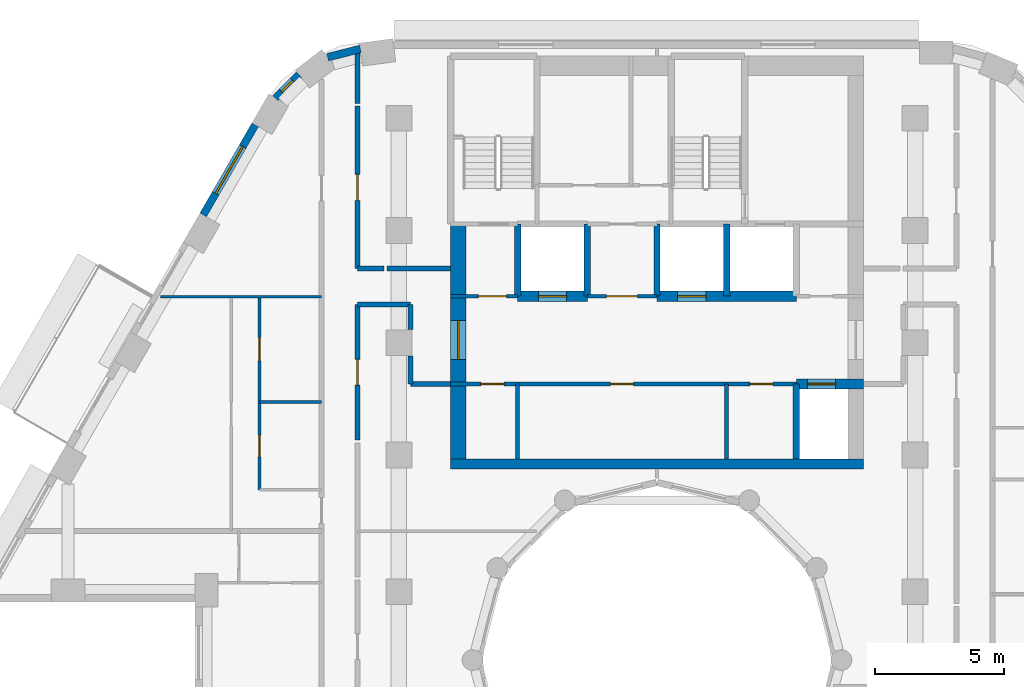
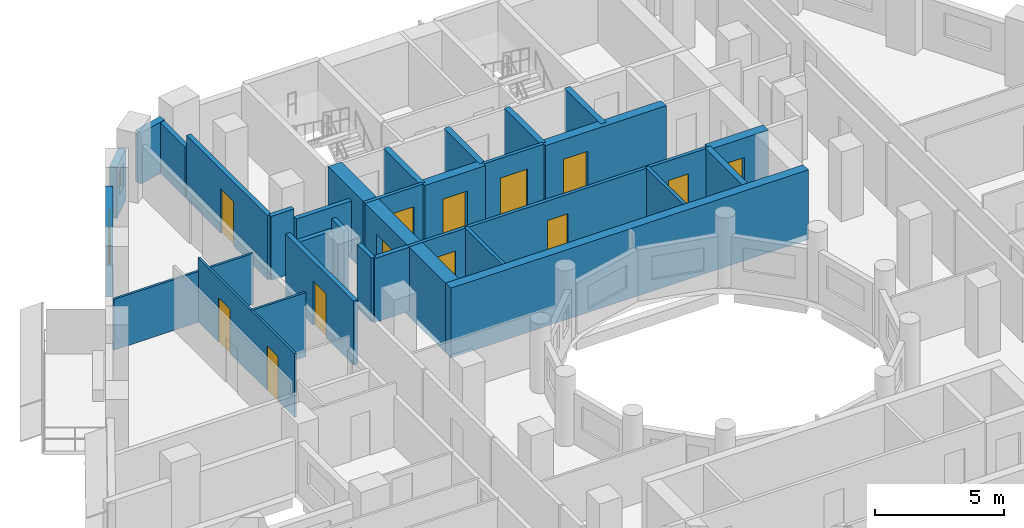
# One storey, part 7 of 13: 30 walls, 13 doors, 2 windows, 15 openings.
"""IFC4 building model written with IfcOpenShell, lengths in metres."""

import ifcopenshell
import ifcopenshell.guid

model = None  # the IFC model being written
_history = None  # IfcOwnerHistory: only IFC2X3 demands one
_inside = {}  # id of a spatial element -> (the spatial element, [elements in it])
_under = {}  # id of a project, library or spatial element -> (it, [spatial elements below it])
_declared = {}  # id of a project -> (the project, [libraries it declares])
_typed = {}  # id of a type object -> (the type object, [elements of that type])
_made_of = {}  # id of a material, layer set ... -> (it, [elements and type objects made of it])


def new_model(schema):
    """Start an empty IFC model of exactly this schema.

    Asked for "IFC4X3", IfcOpenShell would pick the latest addendum, in which some entities
    have other attributes; the version numbers below select the first issue.
    IFC2X3 requires an IfcOwnerHistory on every rooted entity: one is made here for all.
    """
    global model, _history
    if schema == "IFC4X3":
        model = ifcopenshell.file(schema_version=(4, 3, 0, 0))
    else:
        model = ifcopenshell.file(schema=schema)
    _inside.clear()
    _under.clear()
    _declared.clear()
    _typed.clear()
    _made_of.clear()
    _history = None
    if model.schema == "IFC2X3":
        org = make("IfcOrganization", Name="unknown")
        user = make(
            "IfcPersonAndOrganization",
            ThePerson=make("IfcPerson", FamilyName="unknown"),
            TheOrganization=org,
        )
        app = make(
            "IfcApplication",
            ApplicationDeveloper=org,
            Version="unknown",
            ApplicationFullName="unknown",
            ApplicationIdentifier="unknown",
        )
        _history = make(
            "IfcOwnerHistory",
            OwningUser=user,
            OwningApplication=app,
            ChangeAction="ADDED",
            CreationDate=0,
        )
    return model


def make(cls, **values):
    """One entity of the class cls with the attributes given. An attribute that is None is left unset."""
    return model.create_entity(
        cls, **{name: value for name, value in values.items() if value is not None}
    )


def rooted(cls, **values):
    """An entity with a GlobalId (a new one), such as an element, a storey or a relation."""
    return make(cls, GlobalId=ifcopenshell.guid.new(), OwnerHistory=_history, **values)


def si_unit(unit_type, name, prefix=None):
    """IfcSIUnit, for example si_unit("LENGTHUNIT", "METRE", prefix="MILLI")."""
    return make("IfcSIUnit", UnitType=unit_type, Prefix=prefix, Name=name)


def assignment(units):
    """IfcUnitAssignment: the units of a project."""
    return None if units is None else make("IfcUnitAssignment", Units=units)


def point(xyz):
    """IfcCartesianPoint."""
    return None if xyz is None else make("IfcCartesianPoint", Coordinates=xyz)


def direction(xyz):
    """IfcDirection."""
    return None if xyz is None else make("IfcDirection", DirectionRatios=xyz)


def frame(location, z_axis=None, x_axis=None):
    """IfcAxis2Placement3D, a coordinate frame: its origin and axes. An axis left out is left unset."""
    return make(
        "IfcAxis2Placement3D",
        Location=point(location),
        Axis=direction(z_axis),
        RefDirection=direction(x_axis),
    )


def frame_2d(location, x_axis=None):
    """IfcAxis2Placement2D, a coordinate frame in the plane: its origin and x axis."""
    return make(
        "IfcAxis2Placement2D", Location=point(location), RefDirection=direction(x_axis)
    )


def origin():
    """The frame at (0, 0, 0) with its axes left unset."""
    return frame((0.0, 0.0, 0.0))


def place(relative_to, where):
    """IfcLocalPlacement: puts the frame where relative to a parent placement (None: the world)."""
    return make(
        "IfcLocalPlacement", PlacementRelTo=relative_to, RelativePlacement=where
    )


def context(
    kind, dimensions, precision=None, world=None, true_north=None, identifier=None
):
    """IfcGeometricRepresentationContext, for example the 3D "Model" context."""
    return make(
        "IfcGeometricRepresentationContext",
        ContextIdentifier=identifier,
        ContextType=kind,
        CoordinateSpaceDimension=dimensions,
        Precision=precision,
        WorldCoordinateSystem=world,
        TrueNorth=true_north,
    )


def subcontext(parent, identifier, kind, view, scale=None):
    """IfcGeometricRepresentationSubContext, for example "Body" below "Model"."""
    return make(
        "IfcGeometricRepresentationSubContext",
        ContextIdentifier=identifier,
        ContextType=kind,
        ParentContext=parent,
        TargetScale=scale,
        TargetView=view,
    )


def project(units=None, contexts=None):
    """IfcProject with its units and contexts."""
    return rooted(
        "IfcProject",
        Name="project",
        RepresentationContexts=contexts,
        UnitsInContext=assignment(units),
    )


def spatial(cls, under=None, at=None, **own):
    """A site, building, storey or space (cls), placed at a placement, below another one or the project."""
    s = rooted(cls, ObjectPlacement=at, **own)
    if under is not None:
        _under.setdefault(under.id(), (under, []))[1].append(s)
    return s


def profile(cls, at=None, kind="AREA", **sizes):
    """A parametric profile (cls). Its sizes go by their IFC names, for example OverallWidth=200.0."""
    return make(cls, ProfileType=kind, Position=at, **sizes)


def rectangle(**sizes):
    """IfcRectangleProfileDef."""
    return profile("IfcRectangleProfileDef", **sizes)


def extrude(swept, where, along, depth):
    """IfcExtrudedAreaSolid: the profile swept, set in the frame where, extruded along a direction by depth."""
    return make(
        "IfcExtrudedAreaSolid",
        SweptArea=swept,
        Position=where,
        ExtrudedDirection=direction(along),
        Depth=depth,
    )


def shape(context_of_items, identifier, shape_type, items):
    """IfcShapeRepresentation: the items that make up one representation, for example the "Body"."""
    return make(
        "IfcShapeRepresentation",
        ContextOfItems=context_of_items,
        RepresentationIdentifier=identifier,
        RepresentationType=shape_type,
        Items=items,
    )


def material(Name=None, Category=None):
    """IfcMaterial."""
    return make("IfcMaterial", Name=Name, Category=Category)


def layer(
    of_material, thickness, ventilated=None, Name=None, Category=None, Priority=None
):
    """IfcMaterialLayer: one layer of a wall or slab, of a material (None: an air gap)."""
    return make(
        "IfcMaterialLayer",
        Material=of_material,
        LayerThickness=thickness,
        IsVentilated=ventilated,
        Name=Name,
        Category=Category,
        Priority=Priority,
    )


def layer_set(layers, Name=None):
    """IfcMaterialLayerSet."""
    return make("IfcMaterialLayerSet", MaterialLayers=layers, LayerSetName=Name)


def made_of(thing, what):
    """Note that an element or type object is made of a material, layer set ...; save() writes the relation."""
    if what is not None:
        _made_of.setdefault(what.id(), (what, []))[1].append(thing)
    return thing


def type_object(cls, material=None, **own):
    """A type object (cls), such as IfcWallType, which elements share."""
    return made_of(rooted(cls, **own), material)


def element(
    cls,
    number,
    at=None,
    inside=None,
    cuts=None,
    type_object=None,
    material=None,
    context=None,
    identifier="Body",
    shape_type=None,
    held_by="IfcProductDefinitionShape",
    body=None,
    shapes=None,
    **own,
):
    """One element of the class cls, such as IfcWall. Its Tag is "e" and its number.

    at: its placement. inside: the storey or other place that contains it. cuts: it is an
    opening in that element (IfcRelVoidsElement). A single representation is given by context,
    identifier, shape_type and body (its items); several are given by shapes. held_by: the class
    of the entity that holds the representations. save() writes the other relations.
    """
    e = rooted(cls, Tag="e%d" % number, ObjectPlacement=at, **own)
    if body is not None:
        shapes = [shape(context, identifier, shape_type, body)]
    if shapes is not None:
        e.Representation = make(held_by, Representations=shapes)
    if inside is not None:
        _inside.setdefault(inside.id(), (inside, []))[1].append(e)
    if cuts is not None:
        rooted(
            "IfcRelVoidsElement", RelatingBuildingElement=cuts, RelatedOpeningElement=e
        )
    if type_object is not None:
        _typed.setdefault(type_object.id(), (type_object, []))[1].append(e)
    return made_of(e, material)


def fill(opening, filler):
    """IfcRelFillsElement: the door or window that sits in an opening."""
    return rooted(
        "IfcRelFillsElement",
        RelatingOpeningElement=opening,
        RelatedBuildingElement=filler,
    )


def aggregate(whole, parts):
    """IfcRelAggregates: a whole, such as a stair, and the parts it consists of."""
    return rooted("IfcRelAggregates", RelatingObject=whole, RelatedObjects=parts)


def save(model, path):
    """Write the relations noted so far, then the file.

    IfcRelAggregates (storeys below a building ...), IfcRelContainedInSpatialStructure (elements
    in a storey), IfcRelDefinesByType, IfcRelAssociatesMaterial and IfcRelDeclares: one each for
    every whole, place, type object, material and project.
    """
    for whole, parts in _under.values():
        aggregate(whole, parts)
    for where, things in _inside.values():
        rooted(
            "IfcRelContainedInSpatialStructure",
            RelatedElements=things,
            RelatingStructure=where,
        )
    for kind, things in _typed.values():
        rooted("IfcRelDefinesByType", RelatedObjects=things, RelatingType=kind)
    for what, things in _made_of.values():
        rooted("IfcRelAssociatesMaterial", RelatedObjects=things, RelatingMaterial=what)
    for by, libraries in _declared.values():
        rooted("IfcRelDeclares", RelatingContext=by, RelatedDefinitions=libraries)
    model.write(path)


model = new_model("IFC4")

# Units and contexts
model_context = context("Model", 3, precision=1e-05, world=origin(), true_north=direction((0.0, 1.0)))
body_context = subcontext(model_context, "Body", "Model", "MODEL_VIEW")
ifc_project = project(units=[si_unit("LENGTHUNIT", "METRE"), si_unit("AREAUNIT", "SQUARE_METRE"), si_unit("VOLUMEUNIT", "CUBIC_METRE"), si_unit("PLANEANGLEUNIT", "RADIAN"), si_unit("MASSUNIT", "GRAM", prefix="KILO")], contexts=[model_context])

# Site, building, storey
site_placement = place(None, origin())
site = spatial("IfcSite", under=ifc_project, at=site_placement, CompositionType="ELEMENT")
building_placement = place(site_placement, origin())
building = spatial("IfcBuilding", under=site, at=building_placement, Name="Nakaniwa Court", CompositionType="ELEMENT")
storey_placement = place(building_placement, frame((0.0, 0.0, 153.60009765625)))
storey = spatial("IfcBuildingStorey", under=building, at=storey_placement, Name="L40", CompositionType="ELEMENT", Elevation=153.60009765625)

# Walls
ifc_material_1 = material(Name="Acoustic double stud partition")
ifc_layer_1 = layer(ifc_material_1, 0.199951171875)
ifc_layer_set_1 = layer_set([ifc_layer_1], Name="Acoustic double stud partition")
wall_type_1 = type_object("IfcWallType", Name="Acoustic double stud partition 200", PredefinedType="PARTITIONING", material=ifc_layer_set_1)
wall_1_placement = place(storey_placement, frame((68.39990234375, 93.77490234375, 0.0), z_axis=(0.0, 0.0, 1.0), x_axis=(1.0, 0.0, 0.0)))
element("IfcWall", 1, at=wall_1_placement, inside=storey, type_object=wall_type_1, Name="Partition PW-089", PredefinedType="PARTITIONING", context=body_context, shape_type="SweptSolid", body=[
    extrude(rectangle(XDim=2.050048828125, YDim=0.199951171875, at=frame_2d((1.02490234375, 0.0))), origin(), (0.0, 0.0, 1.0), 2.5048828125),
])
wall_2_placement = place(storey_placement, frame((70.449951171875, 90.699951171875, 0.0), z_axis=(0.0, 0.0, 1.0), x_axis=(1.0, 0.0, 0.0)))
element("IfcWall", 2, at=wall_2_placement, inside=storey, type_object=wall_type_1, Name="Partition PW-091", PredefinedType="PARTITIONING", context=body_context, shape_type="SweptSolid", body=[
    extrude(rectangle(XDim=1.550048828125, YDim=0.199951171875, at=frame_2d((0.77490234375, 0.0))), origin(), (0.0, 0.0, 1.0), 3.02490234375),
])
wall_3_placement = place(storey_placement, frame((68.39990234375, 95.175048828125, 0.0), z_axis=(0.0, 0.0, 1.0), x_axis=(1.0, 0.0, 0.0)))
element("IfcWall", 3, at=wall_3_placement, inside=storey, type_object=wall_type_1, Name="Partition PW-093", PredefinedType="PARTITIONING", context=body_context, shape_type="SweptSolid", body=[
    extrude(rectangle(XDim=1.02294921875, YDim=0.199951171875, at=frame_2d((0.511474609375, 0.0))), origin(), (0.0, 0.0, 1.0), 3.02490234375),
])
wall_4_placement = place(storey_placement, frame((69.537109375, 95.175048828125, 0.0), z_axis=(0.0, 0.0, 1.0), x_axis=(1.0, 0.0, 0.0)))
element("IfcWall", 4, at=wall_4_placement, inside=storey, type_object=wall_type_1, Name="Partition PW-094", PredefinedType="PARTITIONING", context=body_context, shape_type="SweptSolid", body=[
    extrude(rectangle(XDim=2.462890625, YDim=0.199951171875, at=frame_2d((1.2314453125, 0.0))), origin(), (0.0, 0.0, 1.0), 2.5048828125),
])

# Wall, opening, door
wall_5_placement = place(storey_placement, frame((68.39990234375, 93.77490234375, 0.0), z_axis=(0.0, 0.0, 1.0), x_axis=(0.0, -1.0, 0.0)))
wall_5 = element("IfcWall", 5, at=wall_5_placement, inside=storey, type_object=wall_type_1, Name="Partition PW-103", PredefinedType="PARTITIONING", context=body_context, shape_type="SweptSolid", body=[
    extrude(rectangle(XDim=5.247802734375, YDim=0.199951171875, at=frame_2d((2.6240234375, 0.0))), origin(), (0.0, 0.0, 1.0), 3.02490234375),
])
opening_1_placement = place(wall_5_placement, frame((2.123046875, 0.0, 0.0)))
opening_1 = element("IfcOpeningElement", 6, at=opening_1_placement, cuts=wall_5, Name="Opening D-02-09", PredefinedType="OPENING", context=body_context, shape_type="SweptSolid", body=[
    extrude(rectangle(XDim=1.0, YDim=2.10009765625, at=frame_2d((0.5, 1.050048828125))), frame((0.0, 0.10986328125, 0.0), z_axis=(0.0, -1.0, 0.0), x_axis=(1.0, 0.0, 0.0)), (0.0, 0.0, 1.0), 0.219970703125),
])
ifc_material_2 = material(Name="Solid core timber door set, black veneer", Category="wood")
door_type_1 = type_object("IfcDoorType", Name="Internal door 1000", OperationType="NOTDEFINED", PredefinedType="DOOR", material=ifc_material_2)
door_1_placement = place(opening_1_placement, origin())
door_1 = element("IfcDoor", 7, at=door_1_placement, inside=storey, type_object=door_type_1, Name="Door D-02-09 L40-040", OperationType="SINGLE_SWING_LEFT", OverallHeight=2.10009765625, OverallWidth=1.0, PredefinedType="DOOR", context=body_context, shape_type="SweptSolid", body=[
    extrude(rectangle(XDim=1.0, YDim=2.10009765625, at=frame_2d((0.5, 1.050048828125))), frame((0.0, 0.02490234375, 0.0), z_axis=(0.0, -1.0, 0.0), x_axis=(1.0, 0.0, 0.0)), (0.0, 0.0, 1.0), 0.050048828125),
])
fill(opening_1, door_1)

wall_6_placement = place(storey_placement, frame((68.39990234375, 101.462890625, 0.0), z_axis=(0.0, 0.0, 1.0), x_axis=(0.0, -1.0, 0.0)))
wall_6 = element("IfcWall", 8, at=wall_6_placement, inside=storey, type_object=wall_type_1, Name="Partition PW-104", PredefinedType="PARTITIONING", context=body_context, shape_type="SweptSolid", body=[
    extrude(rectangle(XDim=6.287841796875, YDim=0.199951171875, at=frame_2d((3.14404296875, 0.0))), origin(), (0.0, 0.0, 1.0), 3.02490234375),
])
opening_2_placement = place(wall_6_placement, frame((2.64501953125, 0.0, 0.0)))
opening_2 = element("IfcOpeningElement", 9, at=opening_2_placement, cuts=wall_6, Name="Opening D-02-10", PredefinedType="OPENING", context=body_context, shape_type="SweptSolid", body=[
    extrude(rectangle(XDim=1.0, YDim=2.10009765625, at=frame_2d((0.5, 1.050048828125))), frame((0.0, 0.10986328125, 0.0), z_axis=(0.0, -1.0, 0.0), x_axis=(1.0, 0.0, 0.0)), (0.0, 0.0, 1.0), 0.219970703125),
])
door_2_placement = place(opening_2_placement, origin())
door_2 = element("IfcDoor", 10, at=door_2_placement, inside=storey, type_object=door_type_1, Name="Door D-02-10 L40-045", OperationType="SINGLE_SWING_RIGHT", OverallHeight=2.10009765625, OverallWidth=1.0, PredefinedType="DOOR", context=body_context, shape_type="SweptSolid", body=[
    extrude(rectangle(XDim=1.0, YDim=2.10009765625, at=frame_2d((0.5, 1.050048828125))), frame((0.0, 0.02490234375, 0.0), z_axis=(0.0, -1.0, 0.0), x_axis=(1.0, 0.0, 0.0)), (0.0, 0.0, 1.0), 0.050048828125),
])
fill(opening_2, door_2)

# Walls
wall_7_placement = place(storey_placement, frame((68.39990234375, 101.5771484375, 0.0), z_axis=(0.0, 0.0, 1.0), x_axis=(0.0, 1.0, 0.0)))
element("IfcWall", 11, at=wall_7_placement, inside=storey, type_object=wall_type_1, Name="Partition PW-105", PredefinedType="PARTITIONING", context=body_context, shape_type="SweptSolid", body=[
    extrude(rectangle(XDim=2.02197265625, YDim=0.199951171875, at=frame_2d((1.010986328125, 0.0))), origin(), (0.0, 0.0, 1.0), 2.40478515625),
])
wall_8_placement = place(storey_placement, frame((70.449951171875, 90.699951171875, 0.0), z_axis=(0.0, 0.0, 1.0), x_axis=(0.0, 1.0, 0.0)))
element("IfcWall", 12, at=wall_8_placement, inside=storey, type_object=wall_type_1, Name="Partition PW-109", PredefinedType="PARTITIONING", context=body_context, shape_type="SweptSolid", body=[
    extrude(rectangle(XDim=1.082763671875, YDim=0.199951171875, at=frame_2d((0.54150390625, 0.0))), origin(), (0.0, 0.0, 1.0), 3.02490234375),
])
wall_9_placement = place(storey_placement, frame((70.449951171875, 92.817138671875, 0.0), z_axis=(0.0, 0.0, 1.0), x_axis=(0.0, 1.0, 0.0)))
element("IfcWall", 13, at=wall_9_placement, inside=storey, type_object=wall_type_1, Name="Partition PW-110", PredefinedType="PARTITIONING", context=body_context, shape_type="SweptSolid", body=[
    extrude(rectangle(XDim=0.957763671875, YDim=0.199951171875, at=frame_2d((0.47900390625, 0.0))), origin(), (0.0, 0.0, 1.0), 3.02490234375),
])
ifc_material_3 = material(Name="Charcoal ceramic cladding")
ifc_layer_2 = layer(ifc_material_3, 0.02, Name="Ceramic cladding")
ifc_material_4 = material(Name="Ventilated air cavity")
ifc_layer_3 = layer(ifc_material_4, 0.04, ventilated=True, Name="Ventilated cavity")
ifc_material_5 = material(Name="Mineral wool insulation")
ifc_layer_4 = layer(ifc_material_5, 0.1, Name="Insulation")
ifc_material_6 = material(Name="Cement bonded sheathing board")
ifc_layer_5 = layer(ifc_material_6, 0.012, Name="Sheathing")
ifc_material_7 = material(Name="Cold-formed galvanised stud frame with mineral wool infill")
ifc_layer_6 = layer(ifc_material_7, 0.1, Name="Stud frame")
ifc_material_8 = material(Name="Fire-rated gypsum plasterboard lining")
ifc_layer_7 = layer(ifc_material_8, 0.028, Name="Lining")
ifc_layer_set_2 = layer_set([ifc_layer_2, ifc_layer_3, ifc_layer_4, ifc_layer_5, ifc_layer_6, ifc_layer_7], Name="Charcoal ceramic faced external wall system")
wall_type_2 = type_object("IfcWallType", Name="Black ceramic faced external wall 300", PredefinedType="SOLIDWALL", material=ifc_layer_set_2)
wall_10_placement = place(storey_placement, frame((68.506103515625, 103.68310546875, 0.0), z_axis=(0.0, 0.0, 1.0), x_axis=(-0.96924493129, -0.246098076322, 0.0)))
element("IfcWall", 14, at=wall_10_placement, inside=storey, type_object=wall_type_2, Name="L40 external wall 09", PredefinedType="SOLIDWALL", context=body_context, shape_type="SweptSolid", body=[
    extrude(rectangle(XDim=1.305419921875, YDim=0.300048828125, at=frame_2d((0.65283203125, 0.0))), origin(), (0.0, 0.0, 1.0), 2.4248046875),
])

# Wall, opening, window
wall_11_placement = place(storey_placement, frame((66.12890625, 102.68798828125, 0.0), z_axis=(0.0, 0.0, 1.0), x_axis=(-0.70881270082, -0.705396735997, 0.0)))
wall_11 = element("IfcWall", 15, at=wall_11_placement, inside=storey, type_object=wall_type_2, Name="L40 external wall 10", PredefinedType="SOLIDWALL", context=body_context, shape_type="SweptSolid", body=[
    extrude(rectangle(XDim=1.286376953125, YDim=0.300048828125, at=frame_2d((0.64306640625, 0.0))), origin(), (0.0, 0.0, 1.0), 2.4248046875),
])
opening_3_placement = place(wall_11_placement, frame((0.3330078125, 0.0, 0.89990234375)))
opening_3 = element("IfcOpeningElement", 16, at=opening_3_placement, cuts=wall_11, Name="Opening W8.10", PredefinedType="OPENING", context=body_context, shape_type="SweptSolid", body=[
    extrude(rectangle(XDim=0.60009765625, YDim=1.10009765625, at=frame_2d((0.300048828125, 0.550048828125))), frame((0.0, 0.159912109375, 0.0), z_axis=(0.0, -1.0, 0.0), x_axis=(1.0, 0.0, 0.0)), (0.0, 0.0, 1.0), 0.320068359375),
])
ifc_material_9 = material(Name="Black anodised aluminium frame with dark low-E laminated double glazing", Category="aluminium")
window_type_1 = type_object("IfcWindowType", Name="Dark glass window 600x1100 sill 900", PartitioningType="SINGLE_PANEL", PredefinedType="WINDOW", material=ifc_material_9)
window_1_placement = place(opening_3_placement, origin())
window_1 = element("IfcWindow", 17, at=window_1_placement, inside=storey, type_object=window_type_1, Name="L40 habitable room window 10-0", OverallHeight=1.10009765625, OverallWidth=0.60009765625, PartitioningType="SINGLE_PANEL", PredefinedType="WINDOW", context=body_context, shape_type="SweptSolid", body=[
    extrude(rectangle(XDim=0.60009765625, YDim=1.10009765625, at=frame_2d((0.300048828125, 0.550048828125))), frame((0.0, 0.030029296875, 0.0), z_axis=(0.0, -1.0, 0.0), x_axis=(1.0, 0.0, 0.0)), (0.0, 0.0, 1.0), 0.06005859375),
])
fill(opening_3, window_1)

wall_12_placement = place(storey_placement, frame((64.434814453125, 100.739990234375, 0.0), z_axis=(0.0, 0.0, 1.0), x_axis=(-0.500031546601, -0.86600718958, 0.0)))
wall_12 = element("IfcWall", 18, at=wall_12_placement, inside=storey, type_object=wall_type_2, Name="L40 external wall 11", PredefinedType="SOLIDWALL", context=body_context, shape_type="SweptSolid", body=[
    extrude(rectangle(XDim=4.033935546875, YDim=0.300048828125, at=frame_2d((2.01708984375, 0.0))), origin(), (0.0, 0.0, 1.0), 2.4248046875),
])
opening_4_placement = place(wall_12_placement, frame((0.967041015625, 0.0, 0.89990234375)))
opening_4 = element("IfcOpeningElement", 19, at=opening_4_placement, cuts=wall_12, Name="Opening W7.11", PredefinedType="OPENING", context=body_context, shape_type="SweptSolid", body=[
    extrude(rectangle(XDim=2.10009765625, YDim=1.10009765625, at=frame_2d((1.050048828125, 0.550048828125))), frame((0.0, 0.159912109375, 0.0), z_axis=(0.0, -1.0, 0.0), x_axis=(1.0, 0.0, 0.0)), (0.0, 0.0, 1.0), 0.320068359375),
])
window_type_2 = type_object("IfcWindowType", Name="Dark glass window 2100x1100 sill 900", PartitioningType="SINGLE_PANEL", PredefinedType="WINDOW", material=ifc_material_9)
window_2_placement = place(opening_4_placement, origin())
window_2 = element("IfcWindow", 20, at=window_2_placement, inside=storey, type_object=window_type_2, Name="L40 habitable room window 11-0", OverallHeight=1.10009765625, OverallWidth=2.10009765625, PartitioningType="SINGLE_PANEL", PredefinedType="WINDOW", context=body_context, shape_type="SweptSolid", body=[
    extrude(rectangle(XDim=2.10009765625, YDim=1.10009765625, at=frame_2d((1.050048828125, 0.550048828125))), frame((0.0, 0.030029296875, 0.0), z_axis=(0.0, -1.0, 0.0), x_axis=(1.0, 0.0, 0.0)), (0.0, 0.0, 1.0), 0.06005859375),
])
fill(opening_4, window_2)

# Wall
ifc_material_10 = material(Name="Blockwork partition", Category="masonry")
ifc_layer_8 = layer(ifc_material_10, 0.14990234375)
ifc_layer_set_3 = layer_set([ifc_layer_8], Name="Blockwork partition")
wall_type_3 = type_object("IfcWallType", Name="Blockwork partition 150", PredefinedType="PARTITIONING", material=ifc_layer_set_3)
wall_13_placement = place(storey_placement, frame((74.60009765625, 87.800048828125, 0.0), z_axis=(0.0, 0.0, 1.0), x_axis=(0.0, 1.0, 0.0)))
element("IfcWall", 21, at=wall_13_placement, inside=storey, type_object=wall_type_3, Name="Partition PW-001", PredefinedType="PARTITIONING", context=body_context, shape_type="SweptSolid", body=[
    extrude(rectangle(XDim=2.89990234375, YDim=0.14990234375, at=frame_2d((1.449951171875, 0.0))), origin(), (0.0, 0.0, 1.0), 3.02490234375),
])

# Wall, openings, doors
wall_14_placement = place(storey_placement, frame((85.39990234375, 90.699951171875, 0.0), z_axis=(0.0, 0.0, 1.0), x_axis=(-1.0, 0.0, 0.0)))
wall_14 = element("IfcWall", 22, at=wall_14_placement, inside=storey, type_object=wall_type_3, Name="Partition PW-002", PredefinedType="PARTITIONING", context=body_context, shape_type="SweptSolid", body=[
    extrude(rectangle(XDim=13.39990234375, YDim=0.14990234375, at=frame_2d((6.699951171875, 0.0))), origin(), (0.0, 0.0, 1.0), 3.02490234375),
])
opening_5_placement = place(wall_14_placement, frame((11.324951171875, 0.0, 0.0)))
opening_5 = element("IfcOpeningElement", 23, at=opening_5_placement, cuts=wall_14, Name="Opening D-05-01", PredefinedType="OPENING", context=body_context, shape_type="SweptSolid", body=[
    extrude(rectangle(XDim=0.89990234375, YDim=2.10009765625, at=frame_2d((0.449951171875, 1.050048828125))), frame((0.0, 0.0849609375, 0.0), z_axis=(0.0, -1.0, 0.0), x_axis=(1.0, 0.0, 0.0)), (0.0, 0.0, 1.0), 0.169921875),
])
opening_6_placement = place(wall_14_placement, frame((6.300048828125, 0.0, 0.0)))
opening_6 = element("IfcOpeningElement", 24, at=opening_6_placement, cuts=wall_14, Name="Opening D-05-02", PredefinedType="OPENING", context=body_context, shape_type="SweptSolid", body=[
    extrude(rectangle(XDim=0.89990234375, YDim=2.10009765625, at=frame_2d((0.449951171875, 1.050048828125))), frame((0.0, 0.0849609375, 0.0), z_axis=(0.0, -1.0, 0.0), x_axis=(1.0, 0.0, 0.0)), (0.0, 0.0, 1.0), 0.169921875),
])
opening_7_placement = place(wall_14_placement, frame((0.89990234375, 0.0, 0.0)))
opening_7 = element("IfcOpeningElement", 25, at=opening_7_placement, cuts=wall_14, Name="Opening D-05-03", PredefinedType="OPENING", context=body_context, shape_type="SweptSolid", body=[
    extrude(rectangle(XDim=0.89990234375, YDim=2.10009765625, at=frame_2d((0.449951171875, 1.050048828125))), frame((0.0, 0.0849609375, 0.0), z_axis=(0.0, -1.0, 0.0), x_axis=(1.0, 0.0, 0.0)), (0.0, 0.0, 1.0), 0.169921875),
])
ifc_material_11 = material(Name="Fire rated steel door set", Category="steel")
door_type_2 = type_object("IfcDoorType", Name="Service room door 900", OperationType="NOTDEFINED", PredefinedType="DOOR", material=ifc_material_11)
door_3_placement = place(opening_5_placement, origin())
door_3 = element("IfcDoor", 26, at=door_3_placement, inside=storey, type_object=door_type_2, Name="Door D-05-01 L40-001", OperationType="SINGLE_SWING_RIGHT", OverallHeight=2.10009765625, OverallWidth=0.89990234375, PredefinedType="DOOR", context=body_context, shape_type="SweptSolid", body=[
    extrude(rectangle(XDim=0.89990234375, YDim=2.10009765625, at=frame_2d((0.449951171875, 1.050048828125))), frame((0.0, 0.02490234375, 0.0), z_axis=(0.0, -1.0, 0.0), x_axis=(1.0, 0.0, 0.0)), (0.0, 0.0, 1.0), 0.050048828125),
])
fill(opening_5, door_3)
door_4_placement = place(opening_6_placement, origin())
door_4 = element("IfcDoor", 27, at=door_4_placement, inside=storey, type_object=door_type_2, Name="Door D-05-02 L40-002", OperationType="SINGLE_SWING_LEFT", OverallHeight=2.10009765625, OverallWidth=0.89990234375, PredefinedType="DOOR", context=body_context, shape_type="SweptSolid", body=[
    extrude(rectangle(XDim=0.89990234375, YDim=2.10009765625, at=frame_2d((0.449951171875, 1.050048828125))), frame((0.0, 0.02490234375, 0.0), z_axis=(0.0, -1.0, 0.0), x_axis=(1.0, 0.0, 0.0)), (0.0, 0.0, 1.0), 0.050048828125),
])
fill(opening_6, door_4)
door_5_placement = place(opening_7_placement, origin())
door_5 = element("IfcDoor", 28, at=door_5_placement, inside=storey, type_object=door_type_2, Name="Door D-05-03 L40-003", OperationType="SINGLE_SWING_RIGHT", OverallHeight=2.10009765625, OverallWidth=0.89990234375, PredefinedType="DOOR", context=body_context, shape_type="SweptSolid", body=[
    extrude(rectangle(XDim=0.89990234375, YDim=2.10009765625, at=frame_2d((0.449951171875, 1.050048828125))), frame((0.0, 0.02490234375, 0.0), z_axis=(0.0, -1.0, 0.0), x_axis=(1.0, 0.0, 0.0)), (0.0, 0.0, 1.0), 0.050048828125),
])
fill(opening_7, door_5)

# Wall
wall_15_placement = place(storey_placement, frame((82.699951171875, 87.800048828125, 0.0), z_axis=(0.0, 0.0, 1.0), x_axis=(0.0, 1.0, 0.0)))
element("IfcWall", 29, at=wall_15_placement, inside=storey, type_object=wall_type_3, Name="Partition PW-008", PredefinedType="PARTITIONING", context=body_context, shape_type="SweptSolid", body=[
    extrude(rectangle(XDim=2.89990234375, YDim=0.14990234375, at=frame_2d((1.449951171875, 0.0))), origin(), (0.0, 0.0, 1.0), 3.02490234375),
])

# Wall, opening, door
wall_16_placement = place(storey_placement, frame((72.0, 94.10009765625, 0.0), z_axis=(0.0, 0.0, 1.0), x_axis=(1.0, 0.0, 0.0)))
wall_16 = element("IfcWall", 30, at=wall_16_placement, inside=storey, type_object=wall_type_3, Name="Partition PW-009", PredefinedType="PARTITIONING", context=body_context, shape_type="SweptSolid", body=[
    extrude(rectangle(XDim=2.60302734375, YDim=0.14990234375, at=frame_2d((1.301513671875, 0.0))), origin(), (0.0, 0.0, 1.0), 3.02490234375),
])
opening_8_placement = place(wall_16_placement, frame((1.074951171875, 0.0, 0.0)))
opening_8 = element("IfcOpeningElement", 31, at=opening_8_placement, cuts=wall_16, Name="Opening D-08-01", PredefinedType="OPENING", context=body_context, shape_type="SweptSolid", body=[
    extrude(rectangle(XDim=1.10009765625, YDim=2.10009765625, at=frame_2d((0.550048828125, 1.050048828125))), frame((0.0, 0.0849609375, 0.0), z_axis=(0.0, -1.0, 0.0), x_axis=(1.0, 0.0, 0.0)), (0.0, 0.0, 1.0), 0.169921875),
])
door_type_3 = type_object("IfcDoorType", Name="Stair lobby door 1100", OperationType="NOTDEFINED", PredefinedType="DOOR", material=ifc_material_11)
door_6_placement = place(opening_8_placement, origin())
door_6 = element("IfcDoor", 32, at=door_6_placement, inside=storey, type_object=door_type_3, Name="Door D-08-01 L40-004", OperationType="SINGLE_SWING_LEFT", OverallHeight=2.10009765625, OverallWidth=1.10009765625, PredefinedType="DOOR", context=body_context, shape_type="SweptSolid", body=[
    extrude(rectangle(XDim=1.10009765625, YDim=2.10009765625, at=frame_2d((0.550048828125, 1.050048828125))), frame((0.0, 0.02490234375, 0.0), z_axis=(0.0, -1.0, 0.0), x_axis=(1.0, 0.0, 0.0)), (0.0, 0.0, 1.0), 0.050048828125),
])
fill(opening_8, door_6)

wall_17_placement = place(storey_placement, frame((77.297119140625, 94.10009765625, 0.0), z_axis=(0.0, 0.0, 1.0), x_axis=(1.0, 0.0, 0.0)))
wall_17 = element("IfcWall", 33, at=wall_17_placement, inside=storey, type_object=wall_type_3, Name="Partition PW-010", PredefinedType="PARTITIONING", context=body_context, shape_type="SweptSolid", body=[
    extrude(rectangle(XDim=2.705810546875, YDim=0.14990234375, at=frame_2d((1.35302734375, 0.0))), origin(), (0.0, 0.0, 1.0), 3.02490234375),
])
opening_9_placement = place(wall_17_placement, frame((0.7529296875, 0.0, 0.0)))
opening_9 = element("IfcOpeningElement", 34, at=opening_9_placement, cuts=wall_17, Name="Opening D-06-01", PredefinedType="OPENING", context=body_context, shape_type="SweptSolid", body=[
    extrude(rectangle(XDim=1.199951171875, YDim=2.10009765625, at=frame_2d((0.60009765625, 1.050048828125))), frame((0.0, 0.0849609375, 0.0), z_axis=(0.0, -1.0, 0.0), x_axis=(1.0, 0.0, 0.0)), (0.0, 0.0, 1.0), 0.169921875),
])
ifc_material_12 = material(Name="Fire rated steel double door set", Category="steel")
door_type_4 = type_object("IfcDoorType", Name="Service passage double door 1200", OperationType="NOTDEFINED", PredefinedType="DOOR", material=ifc_material_12)
door_7_placement = place(opening_9_placement, origin())
door_7 = element("IfcDoor", 35, at=door_7_placement, inside=storey, type_object=door_type_4, Name="Door D-06-01 L40-005", OperationType="DOUBLE_DOOR_SINGLE_SWING", OverallHeight=2.10009765625, OverallWidth=1.199951171875, PredefinedType="DOOR", context=body_context, shape_type="SweptSolid", body=[
    extrude(rectangle(XDim=1.199951171875, YDim=2.10009765625, at=frame_2d((0.60009765625, 1.050048828125))), frame((0.0, 0.02490234375, 0.0), z_axis=(0.0, -1.0, 0.0), x_axis=(1.0, 0.0, 0.0)), (0.0, 0.0, 1.0), 0.050048828125),
])
fill(opening_9, door_7)

ifc_material_13 = material(Name="Concrete C80/100", Category="concrete")
ifc_layer_9 = layer(ifc_material_13, 0.60009765625)
ifc_layer_set_4 = layer_set([ifc_layer_9], Name="Concrete C80/100")
wall_type_4 = type_object("IfcWallType", Name="Concrete core side wall 600 C80", PredefinedType="SHEAR", material=ifc_layer_set_4)
wall_18_placement = place(storey_placement, frame((72.300048828125, 87.800048828125, -0.275146484375), z_axis=(0.0, 0.0, 1.0), x_axis=(0.0, 1.0, 0.0)))
wall_18 = element("IfcWall", 36, at=wall_18_placement, inside=storey, type_object=wall_type_4, Name="Core wall SW-03", PredefinedType="SHEAR", context=body_context, shape_type="SweptSolid", body=[
    extrude(rectangle(XDim=9.099853515625, YDim=0.60009765625, at=frame_2d((4.5498046875, 0.0))), origin(), (0.0, 0.0, 1.0), 3.300048828125),
])
opening_10_placement = place(wall_18_placement, frame((3.85205078125, 0.0, 0.27490234375)))
opening_10 = element("IfcOpeningElement", 37, at=opening_10_placement, cuts=wall_18, Name="Opening D-07-02", PredefinedType="OPENING", context=body_context, shape_type="SweptSolid", body=[
    extrude(rectangle(XDim=1.5, YDim=2.10009765625, at=frame_2d((0.75, 1.050048828125))), frame((0.0, 0.31005859375, 0.0), z_axis=(0.0, -1.0, 0.0), x_axis=(1.0, 0.0, 0.0)), (0.0, 0.0, 1.0), 0.6201171875),
])
ifc_material_14 = material(Name="Glazed fire rated steel double door set", Category="steel")
door_type_5 = type_object("IfcDoorType", Name="Lobby double door 1500", OperationType="NOTDEFINED", PredefinedType="DOOR", material=ifc_material_14)
door_8_placement = place(opening_10_placement, origin())
door_8 = element("IfcDoor", 38, at=door_8_placement, inside=storey, type_object=door_type_5, Name="Door D-07-02 L40-050", OperationType="DOUBLE_DOOR_SINGLE_SWING", OverallHeight=2.10009765625, OverallWidth=1.5, PredefinedType="DOOR", context=body_context, shape_type="SweptSolid", body=[
    extrude(rectangle(XDim=1.5, YDim=2.10009765625, at=frame_2d((0.75, 1.050048828125))), frame((0.0, 0.02490234375, 0.0), z_axis=(0.0, -1.0, 0.0), x_axis=(1.0, 0.0, 0.0)), (0.0, 0.0, 1.0), 0.050048828125),
])
fill(opening_10, door_8)

ifc_layer_10 = layer(ifc_material_13, 0.39990234375)
ifc_layer_set_5 = layer_set([ifc_layer_10], Name="Concrete C80/100")
wall_type_5 = type_object("IfcWallType", Name="Concrete core spine wall 400 C80", PredefinedType="SHEAR", material=ifc_layer_set_5)
wall_19_placement = place(storey_placement, frame((85.39990234375, 90.699951171875, -0.275146484375), z_axis=(0.0, 0.0, 1.0), x_axis=(1.0, 0.0, 0.0)))
wall_19 = element("IfcWall", 39, at=wall_19_placement, inside=storey, type_object=wall_type_5, Name="Core wall SW-06", PredefinedType="SHEAR", context=body_context, shape_type="SweptSolid", body=[
    extrude(rectangle(XDim=2.60009765625, YDim=0.39990234375, at=frame_2d((1.300048828125, 0.0))), origin(), (0.0, 0.0, 1.0), 3.300048828125),
])
opening_11_placement = place(wall_19_placement, frame((0.425048828125, 0.0, 0.27490234375)))
opening_11 = element("IfcOpeningElement", 40, at=opening_11_placement, cuts=wall_19, Name="Opening LD01", PredefinedType="OPENING", context=body_context, shape_type="SweptSolid", body=[
    extrude(rectangle(XDim=1.10009765625, YDim=2.10009765625, at=frame_2d((0.550048828125, 1.050048828125))), frame((0.0, 0.2099609375, 0.0), z_axis=(0.0, -1.0, 0.0), x_axis=(1.0, 0.0, 0.0)), (0.0, 0.0, 1.0), 0.419921875),
])
ifc_material_15 = material(Name="Stainless steel sliding lift landing door", Category="steel")
door_type_6 = type_object("IfcDoorType", Name="Lift landing door 1100", OperationType="NOTDEFINED", PredefinedType="DOOR", material=ifc_material_15)
door_9_placement = place(opening_11_placement, origin())
door_9 = element("IfcDoor", 41, at=door_9_placement, inside=storey, type_object=door_type_6, Name="Lift landing door LD01 L40-001", OperationType="SLIDING_TO_LEFT", OverallHeight=2.10009765625, OverallWidth=1.10009765625, PredefinedType="DOOR", context=body_context, shape_type="SweptSolid", body=[
    extrude(rectangle(XDim=1.10009765625, YDim=2.10009765625, at=frame_2d((0.550048828125, 1.050048828125))), frame((0.0, 0.02490234375, 0.0), z_axis=(0.0, -1.0, 0.0), x_axis=(1.0, 0.0, 0.0)), (0.0, 0.0, 1.0), 0.050048828125),
])
fill(opening_11, door_9)

wall_20_placement = place(storey_placement, frame((74.596923828125, 94.10009765625, -0.275146484375), z_axis=(0.0, 0.0, 1.0), x_axis=(1.0, 0.0, 0.0)))
wall_20 = element("IfcWall", 42, at=wall_20_placement, inside=storey, type_object=wall_type_5, Name="Core wall SW-12", PredefinedType="SHEAR", context=body_context, shape_type="SweptSolid", body=[
    extrude(rectangle(XDim=2.7060546875, YDim=0.39990234375, at=frame_2d((1.35302734375, 0.0))), origin(), (0.0, 0.0, 1.0), 3.300048828125),
])
opening_12_placement = place(wall_20_placement, frame((0.802978515625, 0.0, 0.27490234375)))
opening_12 = element("IfcOpeningElement", 43, at=opening_12_placement, cuts=wall_20, Name="Opening LD02", PredefinedType="OPENING", context=body_context, shape_type="SweptSolid", body=[
    extrude(rectangle(XDim=1.10009765625, YDim=2.10009765625, at=frame_2d((0.550048828125, 1.050048828125))), frame((0.0, 0.2099609375, 0.0), z_axis=(0.0, -1.0, 0.0), x_axis=(1.0, 0.0, 0.0)), (0.0, 0.0, 1.0), 0.419921875),
])
door_10_placement = place(opening_12_placement, origin())
door_10 = element("IfcDoor", 44, at=door_10_placement, inside=storey, type_object=door_type_6, Name="Lift landing door LD02 L40-002", OperationType="SLIDING_TO_LEFT", OverallHeight=2.10009765625, OverallWidth=1.10009765625, PredefinedType="DOOR", context=body_context, shape_type="SweptSolid", body=[
    extrude(rectangle(XDim=1.10009765625, YDim=2.10009765625, at=frame_2d((0.550048828125, 1.050048828125))), frame((0.0, 0.02490234375, 0.0), z_axis=(0.0, -1.0, 0.0), x_axis=(1.0, 0.0, 0.0)), (0.0, 0.0, 1.0), 0.050048828125),
])
fill(opening_12, door_10)

wall_21_placement = place(storey_placement, frame((79.9970703125, 94.10009765625, -0.275146484375), z_axis=(0.0, 0.0, 1.0), x_axis=(1.0, 0.0, 0.0)))
wall_21 = element("IfcWall", 45, at=wall_21_placement, inside=storey, type_object=wall_type_5, Name="Core wall SW-13", PredefinedType="SHEAR", context=body_context, shape_type="SweptSolid", body=[
    extrude(rectangle(XDim=5.406005859375, YDim=0.39990234375, at=frame_2d((2.703125, 0.0))), origin(), (0.0, 0.0, 1.0), 3.300048828125),
])
opening_13_placement = place(wall_21_placement, frame((0.802978515625, 0.0, 0.27490234375)))
opening_13 = element("IfcOpeningElement", 46, at=opening_13_placement, cuts=wall_21, Name="Opening LD03", PredefinedType="OPENING", context=body_context, shape_type="SweptSolid", body=[
    extrude(rectangle(XDim=1.10009765625, YDim=2.10009765625, at=frame_2d((0.550048828125, 1.050048828125))), frame((0.0, 0.2099609375, 0.0), z_axis=(0.0, -1.0, 0.0), x_axis=(1.0, 0.0, 0.0)), (0.0, 0.0, 1.0), 0.419921875),
])
door_11_placement = place(opening_13_placement, origin())
door_11 = element("IfcDoor", 47, at=door_11_placement, inside=storey, type_object=door_type_6, Name="Lift landing door LD03 L40-003", OperationType="SLIDING_TO_LEFT", OverallHeight=2.10009765625, OverallWidth=1.10009765625, PredefinedType="DOOR", context=body_context, shape_type="SweptSolid", body=[
    extrude(rectangle(XDim=1.10009765625, YDim=2.10009765625, at=frame_2d((0.550048828125, 1.050048828125))), frame((0.0, 0.02490234375, 0.0), z_axis=(0.0, -1.0, 0.0), x_axis=(1.0, 0.0, 0.0)), (0.0, 0.0, 1.0), 0.050048828125),
])
fill(opening_13, door_11)

# Walls
ifc_layer_11 = layer(ifc_material_13, 0.39990234375)
ifc_layer_set_6 = layer_set([ifc_layer_11], Name="Concrete C80/100")
wall_type_6 = type_object("IfcWallType", Name="Concrete core well wall 400 C80", PredefinedType="SHEAR", material=ifc_layer_set_6)
wall_22_placement = place(storey_placement, frame((72.00390625, 87.60009765625, -0.275146484375), z_axis=(0.0, 0.0, 1.0), x_axis=(1.0, 0.0, 0.0)))
element("IfcWall", 48, at=wall_22_placement, inside=storey, type_object=wall_type_6, Name="Core wall SW-134", PredefinedType="SHEAR", context=body_context, shape_type="SweptSolid", body=[
    extrude(rectangle(XDim=15.9921875, YDim=0.39990234375, at=frame_2d((7.99609375, 0.0))), origin(), (0.0, 0.0, 1.0), 3.300048828125),
])
ifc_layer_12 = layer(ifc_material_13, 0.25)
ifc_layer_set_7 = layer_set([ifc_layer_12], Name="Concrete C80/100")
wall_type_7 = type_object("IfcWallType", Name="Concrete shaft wall 250 C80", PredefinedType="SHEAR", material=ifc_layer_set_7)
wall_23_placement = place(storey_placement, frame((85.39990234375, 87.800048828125, -0.275146484375), z_axis=(0.0, 0.0, 1.0), x_axis=(0.0, 1.0, 0.0)))
element("IfcWall", 49, at=wall_23_placement, inside=storey, type_object=wall_type_7, Name="Core wall SW-04", PredefinedType="SHEAR", context=body_context, shape_type="SweptSolid", body=[
    extrude(rectangle(XDim=2.89990234375, YDim=0.25, at=frame_2d((1.449951171875, 0.0))), origin(), (0.0, 0.0, 1.0), 3.300048828125),
])
for number, where, z_axis, x_axis, name in (
    (50, (74.60009765625, 94.10009765625, -0.275146484375), (0.0, 0.0, 1.0), (0.0, 1.0, 0.0), "Core wall SW-14"),
    (51, (77.300048828125, 94.10009765625, -0.275146484375), (0.0, 0.0, 1.0), (0.0, 1.0, 0.0), "Core wall SW-16"),
    (52, (80.0, 94.10009765625, -0.275146484375), (0.0, 0.0, 1.0), (0.0, 1.0, 0.0), "Core wall SW-19"),
    (53, (82.699951171875, 94.10009765625, -0.275146484375), (0.0, 0.0, 1.0), (0.0, 1.0, 0.0), "Core wall SW-21"),
):
    element("IfcWall", number, at=place(storey_placement, frame(where, z_axis=z_axis, x_axis=x_axis)), inside=storey, type_object=wall_type_7, Name=name, PredefinedType="SHEAR", context=body_context, shape_type="SweptSolid", body=[
        extrude(rectangle(XDim=2.7998046875, YDim=0.25, at=frame_2d((1.39990234375, 0.0))), origin(), (0.0, 0.0, 1.0), 3.300048828125),
    ])
ifc_material_16 = material(Name="Single stud plasterboard partition")
ifc_layer_13 = layer(ifc_material_16, 0.10009765625)
ifc_layer_set_8 = layer_set([ifc_layer_13], Name="Single stud plasterboard partition")
wall_type_8 = type_object("IfcWallType", Name="Single stud plasterboard partition 100", PredefinedType="PARTITIONING", material=ifc_layer_set_8)
wall_24_placement = place(storey_placement, frame((64.59912109375, 90.0009765625, 0.0), z_axis=(0.0, 0.0, 1.0), x_axis=(1.0, 0.0, 0.0)))
element("IfcWall", 54, at=wall_24_placement, inside=storey, type_object=wall_type_8, Name="Partition PW-129", PredefinedType="PARTITIONING", context=body_context, shape_type="SweptSolid", body=[
    extrude(rectangle(XDim=2.39990234375, YDim=0.10009765625, at=frame_2d((1.199951171875, 0.0))), origin(), (0.0, 0.0, 1.0), 3.02490234375),
])

# Wall, openings, doors
wall_25_placement = place(storey_placement, frame((64.59912109375, 94.083251953125, 0.0), z_axis=(0.0, 0.0, 1.0), x_axis=(0.0, -1.0, 0.0)))
wall_25 = element("IfcWall", 55, at=wall_25_placement, inside=storey, type_object=wall_type_8, Name="Partition PW-130", PredefinedType="PARTITIONING", context=body_context, shape_type="SweptSolid", body=[
    extrude(rectangle(XDim=7.483154296875, YDim=0.10009765625, at=frame_2d((3.74169921875, 0.0))), origin(), (0.0, 0.0, 1.0), 3.02490234375),
])
opening_14_placement = place(wall_25_placement, frame((5.35693359375, 0.0, 0.0)))
opening_14 = element("IfcOpeningElement", 56, at=opening_14_placement, cuts=wall_25, Name="Opening D-03-03", PredefinedType="OPENING", context=body_context, shape_type="SweptSolid", body=[
    extrude(rectangle(XDim=0.85009765625, YDim=2.10009765625, at=frame_2d((0.425048828125, 1.050048828125))), frame((0.0, 0.06005859375, 0.0), z_axis=(0.0, -1.0, 0.0), x_axis=(1.0, 0.0, 0.0)), (0.0, 0.0, 1.0), 0.1201171875),
])
opening_15_placement = place(wall_25_placement, frame((1.591064453125, 0.0, 0.0)))
opening_15 = element("IfcOpeningElement", 57, at=opening_15_placement, cuts=wall_25, Name="Opening D-33-06", PredefinedType="OPENING", context=body_context, shape_type="SweptSolid", body=[
    extrude(rectangle(XDim=0.89990234375, YDim=2.10009765625, at=frame_2d((0.449951171875, 1.050048828125))), frame((0.0, 0.06005859375, 0.0), z_axis=(0.0, -1.0, 0.0), x_axis=(1.0, 0.0, 0.0)), (0.0, 0.0, 1.0), 0.1201171875),
])
ifc_material_17 = material(Name="Moisture sealed timber door set", Category="wood")
door_type_7 = type_object("IfcDoorType", Name="Bathroom door 850", OperationType="NOTDEFINED", PredefinedType="DOOR", material=ifc_material_17)
door_12_placement = place(opening_14_placement, origin())
door_12 = element("IfcDoor", 58, at=door_12_placement, inside=storey, type_object=door_type_7, Name="Door D-03-03 L40-042", OperationType="SINGLE_SWING_LEFT", OverallHeight=2.10009765625, OverallWidth=0.85009765625, PredefinedType="DOOR", context=body_context, shape_type="SweptSolid", body=[
    extrude(rectangle(XDim=0.85009765625, YDim=2.10009765625, at=frame_2d((0.425048828125, 1.050048828125))), frame((0.0, 0.02490234375, 0.0), z_axis=(0.0, -1.0, 0.0), x_axis=(1.0, 0.0, 0.0)), (0.0, 0.0, 1.0), 0.050048828125),
])
fill(opening_14, door_12)
door_type_8 = type_object("IfcDoorType", Name="Internal door 900", OperationType="NOTDEFINED", PredefinedType="DOOR", material=ifc_material_2)
door_13_placement = place(opening_15_placement, origin())
door_13 = element("IfcDoor", 59, at=door_13_placement, inside=storey, type_object=door_type_8, Name="Door D-33-06 L40-043", OperationType="SINGLE_SWING_RIGHT", OverallHeight=2.10009765625, OverallWidth=0.89990234375, PredefinedType="DOOR", context=body_context, shape_type="SweptSolid", body=[
    extrude(rectangle(XDim=0.89990234375, YDim=2.10009765625, at=frame_2d((0.449951171875, 1.050048828125))), frame((0.0, 0.02490234375, 0.0), z_axis=(0.0, -1.0, 0.0), x_axis=(1.0, 0.0, 0.0)), (0.0, 0.0, 1.0), 0.050048828125),
])
fill(opening_15, door_13)

# Wall
wall_26_placement = place(storey_placement, frame((60.764404296875, 94.0830078125, 0.0), z_axis=(0.0, 0.0, 1.0), x_axis=(1.0, 0.0, 0.0)))
element("IfcWall", 60, at=wall_26_placement, inside=storey, type_object=wall_type_8, Name="Partition PW-132", PredefinedType="PARTITIONING", context=body_context, shape_type="SweptSolid", body=[
    extrude(rectangle(XDim=6.234619140625, YDim=0.10009765625, at=frame_2d((3.1171875, 0.0))), origin(), (0.0, 0.0, 1.0), 2.40478515625),
])

save(model, "model.ifc")
